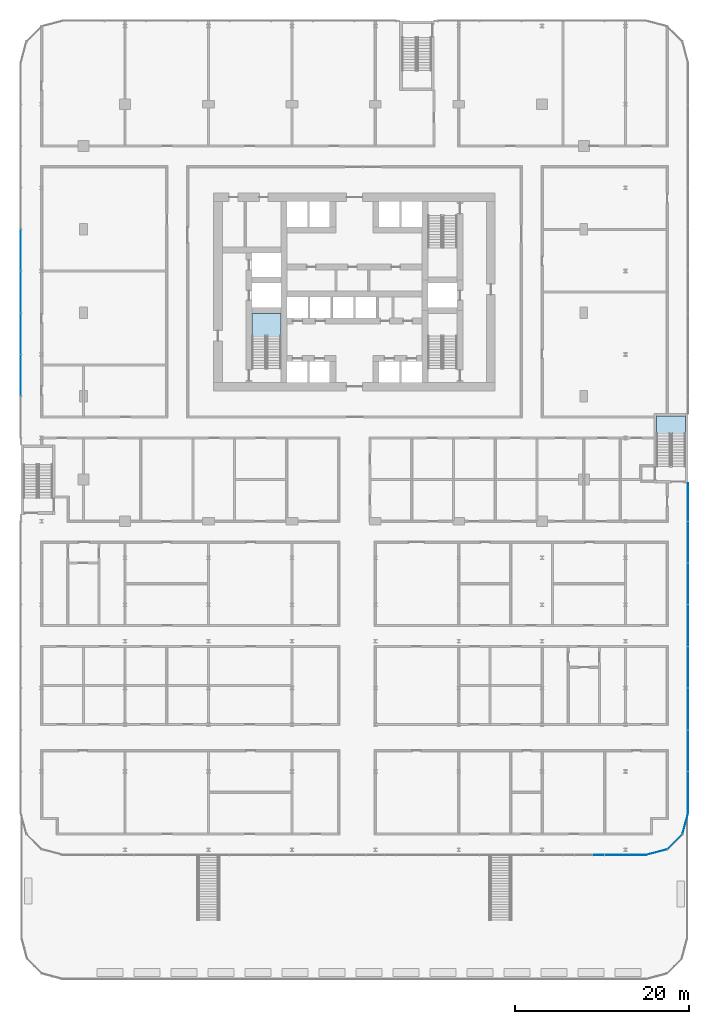
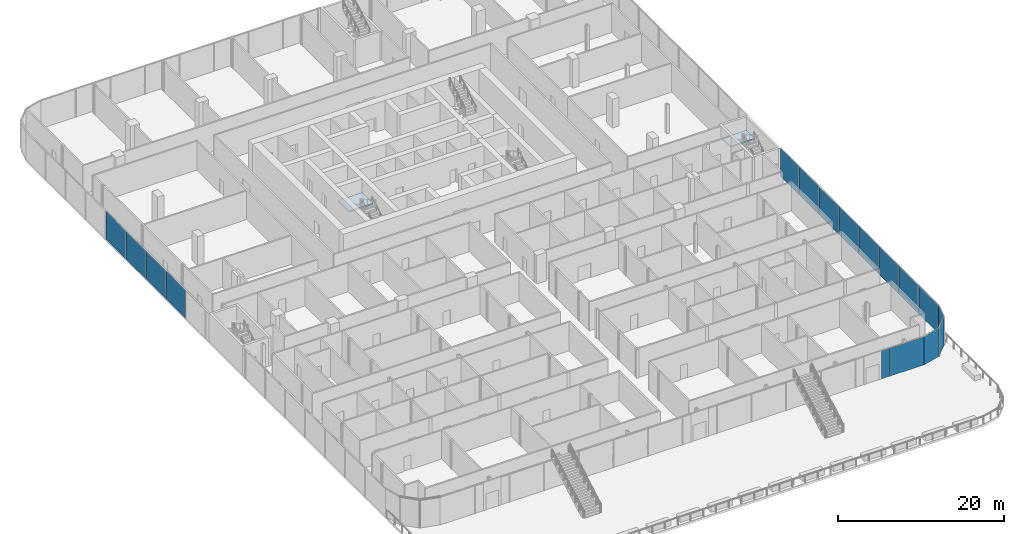
# One storey, part 27 of 45: 17 plates, 2 slabs, 6 elements without a shape of their own.
"""IFC4 building model written with IfcOpenShell, lengths in metres."""

from ifc_helpers import new_model, si_unit, direction, frame, origin, origin_2d, place, context, subcontext, project, spatial, polyline, rectangle, outline, extrude, material, layer, layer_set, type_object, element, aggregate, save


model = new_model("IFC4")

# Units and contexts
model_context = context("Model", 3, precision=1e-05, world=origin(), true_north=direction((0.0, 1.0)))
body_context = subcontext(model_context, "Body", "Model", "MODEL_VIEW")
ifc_project = project(units=[si_unit("LENGTHUNIT", "METRE"), si_unit("AREAUNIT", "SQUARE_METRE"), si_unit("VOLUMEUNIT", "CUBIC_METRE"), si_unit("PLANEANGLEUNIT", "RADIAN"), si_unit("MASSUNIT", "GRAM", prefix="KILO")], contexts=[model_context])

# Site, building, storey
site_placement = place(None, origin())
site = spatial("IfcSite", under=ifc_project, at=site_placement, CompositionType="ELEMENT")
building_placement = place(site_placement, origin())
building = spatial("IfcBuilding", under=site, at=building_placement, Name="Madar Terraces", CompositionType="ELEMENT")
storey_placement = place(building_placement, frame((0.0, 0.0, 6.0)))
storey = spatial("IfcBuildingStorey", under=building, at=storey_placement, Name="L01", CompositionType="ELEMENT", Elevation=6.0)

# Curtain wall, plates
ifc_material_1 = material(Name="Glass, clear low-iron, with black aluminium frame", Category="aluminium")
ifc_layer_1 = layer(ifc_material_1, 0.199951171875)
ifc_layer_set_1 = layer_set([ifc_layer_1], Name="Facade curtain wall, shopfront glazing")
curtain_wall_type = type_object("IfcCurtainWallType", Name="Facade curtain wall, shopfront glazing", PredefinedType="NOTDEFINED", material=ifc_layer_set_1)
curtain_wall_1_placement = place(storey_placement, origin())
curtain_wall_1 = element("IfcCurtainWall", 1, at=curtain_wall_1_placement, inside=storey, type_object=curtain_wall_type, Name="Outer skin curtain wall south bay 1", PredefinedType="NOTDEFINED")
ifc_material_2 = material(Name="Glass, ceramic frit dark grey", Category="glass")
ifc_layer_2 = layer(ifc_material_2, 0.028076171875)
ifc_layer_set_2 = layer_set([ifc_layer_2], Name="Facade glass panel 28")
plate_type = type_object("IfcPlateType", Name="Facade glass panel 28", PredefinedType="CURTAIN_PANEL", material=ifc_layer_set_2)
plate_1_placement = place(storey_placement, frame((59.385009765625, -38.39990234375, 0.0), z_axis=(0.0, 0.0, 1.0), x_axis=(1.0, 0.0, 0.0)))
plate_1 = element("IfcPlate", 2, at=plate_1_placement, type_object=plate_type, Name="Panel 16", PredefinedType="CURTAIN_PANEL", context=body_context, shape_type="SweptSolid", body=[
    extrude(rectangle(XDim=1.169921875, YDim=0.028076171875, at=origin_2d()), origin(), (0.0, 0.0, 1.0), 4.139892578125),
])
plate_2_placement = place(storey_placement, frame((62.4150390625, -38.39990234375, 0.0), z_axis=(0.0, 0.0, 1.0), x_axis=(1.0, 0.0, 0.0)))
plate_2 = element("IfcPlate", 3, at=plate_2_placement, type_object=plate_type, Name="Panel 17", PredefinedType="CURTAIN_PANEL", context=body_context, shape_type="SweptSolid", body=[
    extrude(rectangle(XDim=4.77001953125, YDim=0.028076171875, at=origin_2d()), origin(), (0.0, 0.0, 1.0), 4.139892578125),
])
aggregate(curtain_wall_1, [plate_1, plate_2])

curtain_wall_2_placement = place(storey_placement, origin())
curtain_wall_2 = element("IfcCurtainWall", 4, at=curtain_wall_2_placement, inside=storey, type_object=curtain_wall_type, Name="Outer skin curtain wall east bay 1", PredefinedType="NOTDEFINED")
plate_3_placement = place(storey_placement, frame((69.60009765625, -31.215087890625, 0.0), z_axis=(0.0, 0.0, 1.0), x_axis=(0.0, 1.0, 0.0)))
plate_3 = element("IfcPlate", 5, at=plate_3_placement, type_object=plate_type, Name="Panel 1", PredefinedType="CURTAIN_PANEL", context=body_context, shape_type="SweptSolid", body=[
    extrude(rectangle(XDim=4.77001953125, YDim=0.028076171875, at=origin_2d()), origin(), (0.0, 0.0, 1.0), 4.139892578125),
])
plate_4_placement = place(storey_placement, frame((69.60009765625, -26.39990234375, 0.0), z_axis=(0.0, 0.0, 1.0), x_axis=(0.0, 1.0, 0.0)))
plate_4 = element("IfcPlate", 6, at=plate_4_placement, type_object=plate_type, Name="Panel 2", PredefinedType="CURTAIN_PANEL", context=body_context, shape_type="SweptSolid", body=[
    extrude(rectangle(XDim=4.739990234375, YDim=0.028076171875, at=origin_2d()), origin(), (0.0, 0.0, 1.0), 4.139892578125),
])
plate_5_placement = place(storey_placement, frame((69.60009765625, -21.60009765625, 0.0), z_axis=(0.0, 0.0, 1.0), x_axis=(0.0, 1.0, 0.0)))
plate_5 = element("IfcPlate", 7, at=plate_5_placement, type_object=plate_type, Name="Panel 3", PredefinedType="CURTAIN_PANEL", context=body_context, shape_type="SweptSolid", body=[
    extrude(rectangle(XDim=4.739990234375, YDim=0.028076171875, at=origin_2d()), origin(), (0.0, 0.0, 1.0), 4.139892578125),
])
plate_6_placement = place(storey_placement, frame((69.60009765625, -16.800048828125, 0.0), z_axis=(0.0, 0.0, 1.0), x_axis=(0.0, 1.0, 0.0)))
plate_6 = element("IfcPlate", 8, at=plate_6_placement, type_object=plate_type, Name="Panel 4", PredefinedType="CURTAIN_PANEL", context=body_context, shape_type="SweptSolid", body=[
    extrude(rectangle(XDim=4.739990234375, YDim=0.028076171875, at=origin_2d()), origin(), (0.0, 0.0, 1.0), 4.139892578125),
])
plate_7_placement = place(storey_placement, frame((69.60009765625, -12.0, 0.0), z_axis=(0.0, 0.0, 1.0), x_axis=(0.0, 1.0, 0.0)))
plate_7 = element("IfcPlate", 9, at=plate_7_placement, type_object=plate_type, Name="Panel 5", PredefinedType="CURTAIN_PANEL", context=body_context, shape_type="SweptSolid", body=[
    extrude(rectangle(XDim=4.739990234375, YDim=0.028076171875, at=origin_2d()), origin(), (0.0, 0.0, 1.0), 4.139892578125),
])
plate_8_placement = place(storey_placement, frame((69.60009765625, -7.199951171875, 0.0), z_axis=(0.0, 0.0, 1.0), x_axis=(0.0, 1.0, 0.0)))
plate_8 = element("IfcPlate", 10, at=plate_8_placement, type_object=plate_type, Name="Panel 6", PredefinedType="CURTAIN_PANEL", context=body_context, shape_type="SweptSolid", body=[
    extrude(rectangle(XDim=4.739990234375, YDim=0.028076171875, at=origin_2d()), origin(), (0.0, 0.0, 1.0), 4.139892578125),
])
plate_9_placement = place(storey_placement, frame((69.60009765625, -2.39990234375, 0.0), z_axis=(0.0, 0.0, 1.0), x_axis=(0.0, 1.0, 0.0)))
plate_9 = element("IfcPlate", 11, at=plate_9_placement, type_object=plate_type, Name="Panel 7", PredefinedType="CURTAIN_PANEL", context=body_context, shape_type="SweptSolid", body=[
    extrude(rectangle(XDim=4.739990234375, YDim=0.028076171875, at=origin_2d()), origin(), (0.0, 0.0, 1.0), 4.139892578125),
])
plate_10_placement = place(storey_placement, frame((69.60009765625, 2.215087890625, 0.0), z_axis=(0.0, 0.0, 1.0), x_axis=(0.0, 1.0, 0.0)))
plate_10 = element("IfcPlate", 12, at=plate_10_placement, type_object=plate_type, Name="Panel 8", PredefinedType="CURTAIN_PANEL", context=body_context, shape_type="SweptSolid", body=[
    extrude(rectangle(XDim=4.3701171875, YDim=0.028076171875, at=origin_2d()), origin(), (0.0, 0.0, 1.0), 4.139892578125),
])
aggregate(curtain_wall_2, [plate_3, plate_4, plate_5, plate_6, plate_7, plate_8, plate_9, plate_10])

curtain_wall_3_placement = place(storey_placement, origin())
curtain_wall_3 = element("IfcCurtainWall", 13, at=curtain_wall_3_placement, inside=storey, type_object=curtain_wall_type, Name="Outer skin curtain wall west bay 1", PredefinedType="NOTDEFINED")
plate_11_placement = place(storey_placement, frame((-7.199951171875, 31.199951171875, 0.0), z_axis=(0.0, 0.0, 1.0), x_axis=(0.0, -1.0, 0.0)))
plate_11 = element("IfcPlate", 14, at=plate_11_placement, type_object=plate_type, Name="Panel 5", PredefinedType="CURTAIN_PANEL", context=body_context, shape_type="SweptSolid", body=[
    extrude(rectangle(XDim=4.739990234375, YDim=0.028076171875, at=origin_2d()), origin(), (0.0, 0.0, 1.0), 4.139892578125),
])
plate_12_placement = place(storey_placement, frame((-7.199951171875, 26.39990234375, 0.0), z_axis=(0.0, 0.0, 1.0), x_axis=(0.0, -1.0, 0.0)))
plate_12 = element("IfcPlate", 15, at=plate_12_placement, type_object=plate_type, Name="Panel 6", PredefinedType="CURTAIN_PANEL", context=body_context, shape_type="SweptSolid", body=[
    extrude(rectangle(XDim=4.739990234375, YDim=0.028076171875, at=origin_2d()), origin(), (0.0, 0.0, 1.0), 4.139892578125),
])
plate_13_placement = place(storey_placement, frame((-7.199951171875, 21.60009765625, 0.0), z_axis=(0.0, 0.0, 1.0), x_axis=(0.0, -1.0, 0.0)))
plate_13 = element("IfcPlate", 16, at=plate_13_placement, type_object=plate_type, Name="Panel 7", PredefinedType="CURTAIN_PANEL", context=body_context, shape_type="SweptSolid", body=[
    extrude(rectangle(XDim=4.739990234375, YDim=0.028076171875, at=origin_2d()), origin(), (0.0, 0.0, 1.0), 4.139892578125),
])
plate_14_placement = place(storey_placement, frame((-7.199951171875, 16.800048828125, 0.0), z_axis=(0.0, 0.0, 1.0), x_axis=(0.0, -1.0, 0.0)))
plate_14 = element("IfcPlate", 17, at=plate_14_placement, type_object=plate_type, Name="Panel 8", PredefinedType="CURTAIN_PANEL", context=body_context, shape_type="SweptSolid", body=[
    extrude(rectangle(XDim=4.739990234375, YDim=0.028076171875, at=origin_2d()), origin(), (0.0, 0.0, 1.0), 4.139892578125),
])
aggregate(curtain_wall_3, [plate_11, plate_12, plate_13, plate_14])

curtain_wall_4_placement = place(storey_placement, origin())
curtain_wall_4 = element("IfcCurtainWall", 18, at=curtain_wall_4_placement, inside=storey, type_object=curtain_wall_type, Name="Outer skin curtain wall south-east corner", PredefinedType="NOTDEFINED")
plate_15_placement = place(storey_placement, frame((65.985595703125, -38.082275390625, 0.0), z_axis=(0.0, 0.0, 1.0), x_axis=(0.965925832509, 0.258819021888, 0.0)))
plate_15 = element("IfcPlate", 19, at=plate_15_placement, type_object=plate_type, Name="Panel 1", PredefinedType="CURTAIN_PANEL", context=body_context, shape_type="SweptSolid", body=[
    extrude(rectangle(XDim=2.45458984375, YDim=0.028076171875, at=origin_2d()), origin(), (0.0, 0.0, 1.0), 4.139892578125),
])
plate_16_placement = place(storey_placement, frame((68.078369140625, -36.87841796875, 0.0), z_axis=(0.0, 0.0, 1.0), x_axis=(0.707106781187, 0.707106781187, 0.0)))
plate_16 = element("IfcPlate", 20, at=plate_16_placement, type_object=plate_type, Name="Panel 2", PredefinedType="CURTAIN_PANEL", context=body_context, shape_type="SweptSolid", body=[
    extrude(rectangle(XDim=2.424560546875, YDim=0.028076171875, at=origin_2d()), origin(), (0.0, 0.0, 1.0), 4.139892578125),
])
plate_17_placement = place(storey_placement, frame((69.2822265625, -34.785400390625, 0.0), z_axis=(0.0, 0.0, 1.0), x_axis=(0.258819021888, 0.965925832509, 0.0)))
plate_17 = element("IfcPlate", 21, at=plate_17_placement, type_object=plate_type, Name="Panel 3", PredefinedType="CURTAIN_PANEL", context=body_context, shape_type="SweptSolid", body=[
    extrude(rectangle(XDim=2.45458984375, YDim=0.028076171875, at=origin_2d()), origin(), (0.0, 0.0, 1.0), 4.139892578125),
])
aggregate(curtain_wall_4, [plate_15, plate_16, plate_17])

# Stair, slab
ifc_material_3 = material(Name="Concrete C50/60", Category="concrete")
stair_type_1 = type_object("IfcStairType", Name="Stair ST1 protected exit", PredefinedType="HALF_TURN_STAIR", material=ifc_material_3)
stair_1_placement = place(storey_placement, origin())
stair_1 = element("IfcStair", 22, at=stair_1_placement, inside=storey, type_object=stair_type_1, Name="L01 Protected Exit Stair ST1", PredefinedType="HALF_TURN_STAIR")
ifc_material_4 = material(Name="Concrete C50/60", Category="concrete")
ifc_layer_3 = layer(ifc_material_4, 0.199951171875)
ifc_layer_set_3 = layer_set([ifc_layer_3], Name="Stair landing 200, top +2.25")
slab_type = type_object("IfcSlabType", Name="Stair landing 200, top +2.25", PredefinedType="LANDING", material=ifc_layer_set_3)
slab_1_placement = place(storey_placement, frame((0.0, 0.0, 2.050048828125)))
slab_1 = element("IfcSlab", 23, at=slab_1_placement, type_object=slab_type, Name="ST1 landing 1", PredefinedType="LANDING", context=body_context, shape_type="SweptSolid", body=[
    extrude(outline(polyline([(19.39990234375, 21.2900390625), (22.75, 21.2900390625), (22.75, 23.89990234375), (19.39990234375, 23.89990234375), (19.39990234375, 21.2900390625)])), origin(), (0.0, 0.0, 1.0), 0.199951171875),
])
aggregate(stair_1, [slab_1])

ifc_material_5 = material(Name="Concrete C50/60", Category="concrete")
stair_type_2 = type_object("IfcStairType", Name="Stair PS3 protected exit", PredefinedType="HALF_TURN_STAIR", material=ifc_material_5)
stair_2_placement = place(storey_placement, origin())
stair_2 = element("IfcStair", 24, at=stair_2_placement, inside=storey, type_object=stair_type_2, Name="L01 Protected Exit Stair PS3", PredefinedType="HALF_TURN_STAIR")
slab_2_placement = place(storey_placement, frame((0.0, 0.0, 2.050048828125)))
slab_2 = element("IfcSlab", 25, at=slab_2_placement, type_object=slab_type, Name="PS3 landing 1", PredefinedType="LANDING", context=body_context, shape_type="SweptSolid", body=[
    extrude(outline(polyline([(65.949951171875, 10.110107421875), (69.300048828125, 10.110107421875), (69.300048828125, 12.10009765625), (65.949951171875, 12.10009765625), (65.949951171875, 10.110107421875)])), origin(), (0.0, 0.0, 1.0), 0.199951171875),
])
aggregate(stair_2, [slab_2])

save(model, "model.ifc")
